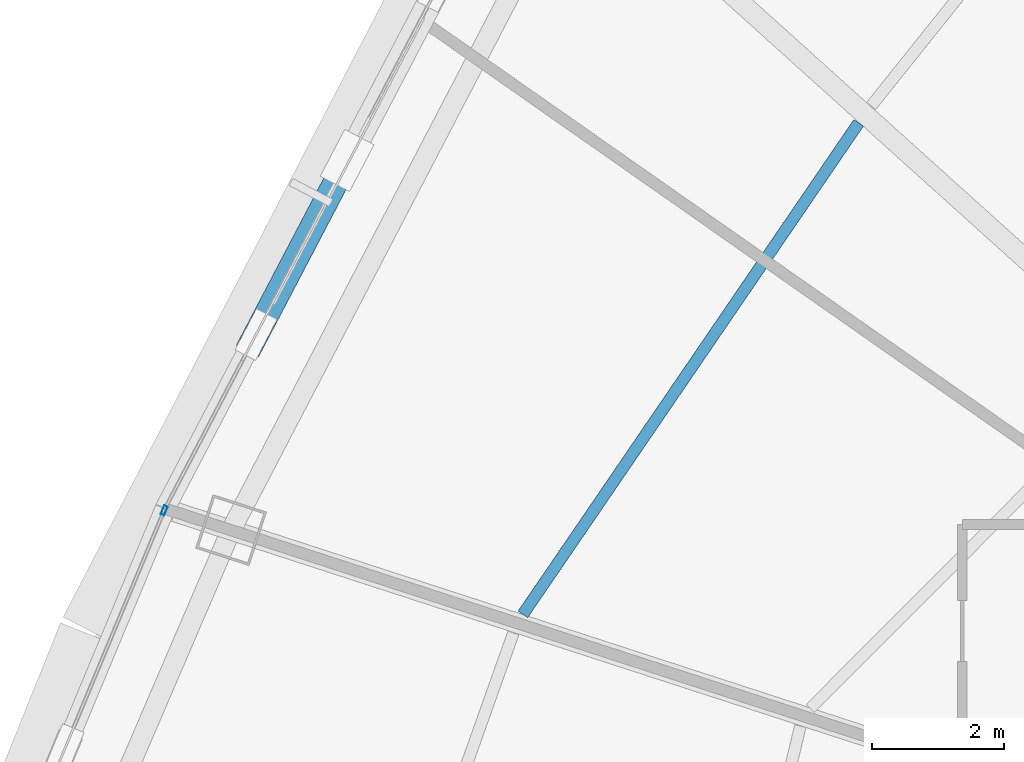
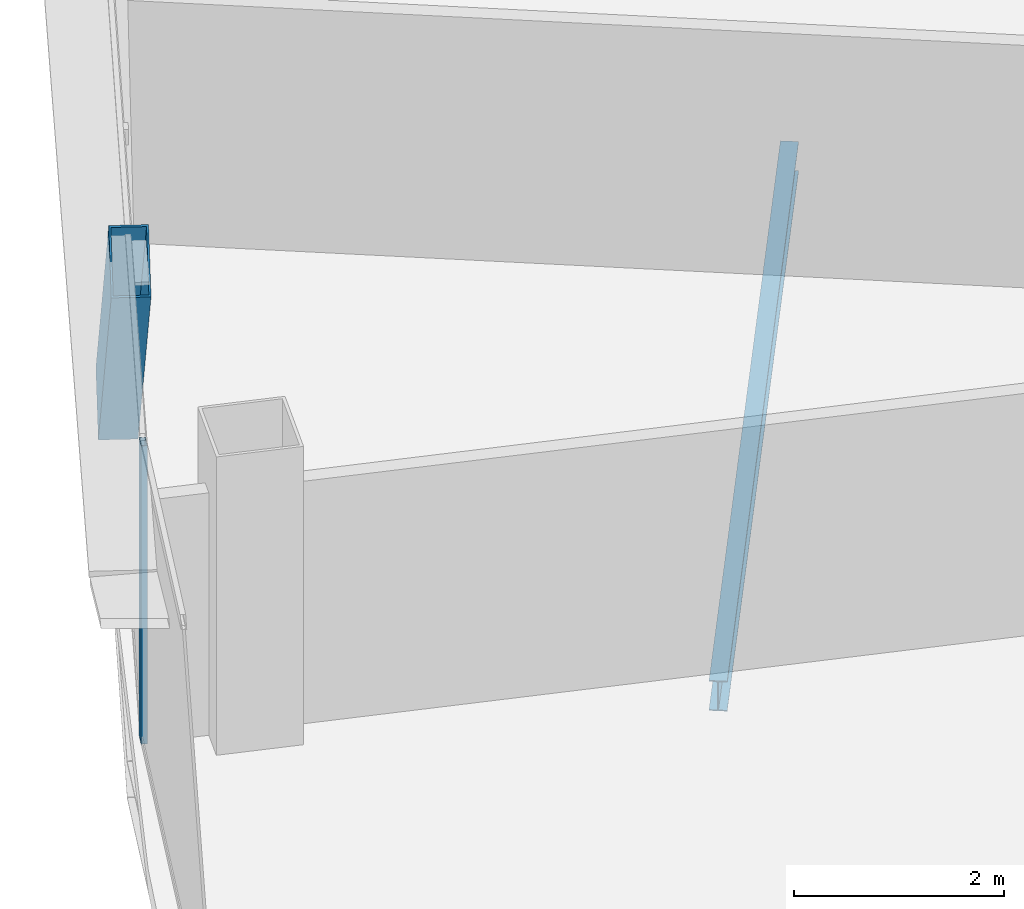
# One storey, part 8 of 36: 2 members, 1 beam, 1 element without a shape of its own.
"""IFC4 building model written with IfcOpenShell, lengths in metres."""

from ifc_helpers import new_model, si_unit, direction, frame, origin, origin_2d, place, context, subcontext, project, spatial, hollow_rectangle, i_section, extrude, source, transform, mapped, material, layer, layer_set, material_profile, profile_set, type_object, element, aggregate, save


model = new_model("IFC4")

# Units and contexts
model_context = context("Model", 3, precision=1e-05, world=origin(), true_north=direction((0.0, 1.0)))
body_context = subcontext(model_context, "Body", "Model", "MODEL_VIEW")
ifc_project = project(units=[si_unit("LENGTHUNIT", "METRE"), si_unit("AREAUNIT", "SQUARE_METRE"), si_unit("VOLUMEUNIT", "CUBIC_METRE"), si_unit("PLANEANGLEUNIT", "RADIAN"), si_unit("MASSUNIT", "GRAM", prefix="KILO"), si_unit("THERMODYNAMICTEMPERATUREUNIT", "KELVIN"), si_unit("POWERUNIT", "WATT")], contexts=[model_context])

# Site, building, storey
site_placement = place(None, origin())
site = spatial("IfcSite", under=ifc_project, at=site_placement, CompositionType="ELEMENT")
building_placement = place(site_placement, origin())
building = spatial("IfcBuilding", under=site, at=building_placement, Name="Yunzhuo Pagoda Commons", CompositionType="ELEMENT")
storey_placement = place(building_placement, frame((0.0, 0.0, 263.179931640625)))
storey = spatial("IfcBuildingStorey", under=building, at=storey_placement, Name="L66", CompositionType="ELEMENT", Elevation=263.179931640625)

# Beam
ifc_material_1 = material(Name="Structural steel Q355B", Category="steel")
ifc_material_profile_1 = material_profile(ifc_material_1, i_section(OverallWidth=0.175048828125, OverallDepth=0.35009765625, WebThickness=0.007080078125, FlangeThickness=0.010986328125, at=origin_2d()), Name="Structural steel Q355B")
ifc_profile_set_1 = profile_set([ifc_material_profile_1], Name="Structural steel Q355B")
beam_type = type_object("IfcBeamType", Name="B-JS2 Joist HN 350x175x7x11", PredefinedType="JOIST", material=ifc_profile_set_1)
shared_shape_1 = source(origin(), body_context, "Body", "SweptSolid", [
    extrude(i_section(OverallWidth=0.175048828125, OverallDepth=0.35009765625, WebThickness=0.007080078125, FlangeThickness=0.010986328125, at=origin_2d()), origin(), (0.0, 0.0, 1.0), 8.99365234375),
])
beam_placement = place(storey_placement, frame((31.583984375, 48.268798828125, -0.434814453125), z_axis=(-0.564098900337, -0.825707230584, 0.0), x_axis=(0.825707230584, -0.564098900337, 0.0)))
element("IfcBeam", 1, at=beam_placement, inside=storey, type_object=beam_type, Name="L66 composite ring joist 2.10", PredefinedType="JOIST", context=body_context, shape_type="MappedRepresentation", body=[
    mapped(shared_shape_1, transform((0.0, 0.0, 0.0), scale=1.0)),
])

# Member
ifc_material_profile_2 = material_profile(ifc_material_1, hollow_rectangle(XDim=0.3798828125, YDim=0.719970703125, WallThickness=0.02001953125, at=origin_2d()), Name="Structural steel Q355B")
ifc_profile_set_2 = profile_set([ifc_material_profile_2], Name="Structural steel Q355B")
member_type_1 = type_object("IfcMemberType", Name="M-DL3 Brace BOX 720x380x20", PredefinedType="BRACE", material=ifc_profile_set_2)
shared_shape_2 = source(origin(), body_context, "Body", "SweptSolid", [
    extrude(hollow_rectangle(XDim=0.3798828125, YDim=0.719970703125, WallThickness=0.02001953125, at=origin_2d()), origin(), (0.0, 0.0, 1.0), 4.767333984375),
])
member_1_placement = place(storey_placement, frame((23.85546875, 47.70068359375, -0.260009765625), z_axis=(-0.288727963892, -0.551799186048, 0.782402595307), x_axis=(0.886035855548, -0.46361671959, 0.0)))
element("IfcMember", 2, at=member_1_placement, inside=storey, type_object=member_type_1, Name="L66 facade diamond brace F3.2R", PredefinedType="BRACE", context=body_context, shape_type="MappedRepresentation", body=[
    mapped(shared_shape_2, transform((0.0, 0.0, 0.0), scale=1.0)),
])

# Curtain wall, member
ifc_material_2 = material(Name="Anodized aluminium 6063-T6", Category="aluminium")
ifc_layer = layer(ifc_material_2, 0.139892578125)
ifc_layer_set = layer_set([ifc_layer], Name="Anodized aluminium 6063-T6")
curtain_wall_type = type_object("IfcCurtainWallType", Name="CW-HI High-Zone Ribbon Curtain Wall", PredefinedType="NOTDEFINED", material=ifc_layer_set)
curtain_wall_placement = place(storey_placement, origin())
curtain_wall = element("IfcCurtainWall", 3, at=curtain_wall_placement, inside=storey, type_object=curtain_wall_type, Name="L66 curtain wall CW-L66-F3B4", PredefinedType="NOTDEFINED")
ifc_material_profile_3 = material_profile(ifc_material_2, hollow_rectangle(XDim=0.06005859375, YDim=0.139892578125, WallThickness=0.00341796875, at=origin_2d()), Name="Anodized aluminium 6063-T6")
ifc_profile_set_3 = profile_set([ifc_material_profile_3], Name="Anodized aluminium 6063-T6")
member_type_2 = type_object("IfcMemberType", Name="CW-HI-M Mullion RHS 140x60x3.5", PredefinedType="MULLION", material=ifc_profile_set_3)
shared_shape_3 = source(origin(), body_context, "Body", "SweptSolid", [
    extrude(hollow_rectangle(XDim=0.06005859375, YDim=0.139892578125, WallThickness=0.00341796875, at=origin_2d()), origin(), (0.0, 0.0, 1.0), 3.469970703125),
])
member_2_placement = place(storey_placement, frame((21.09130859375, 42.41162109375, 0.0), z_axis=(0.0, 0.0, 1.0), x_axis=(0.922909845486, -0.385016125772, 0.0)))
member_2 = element("IfcMember", 4, at=member_2_placement, type_object=member_type_2, Name="CW mullion 1", PredefinedType="MULLION", context=body_context, shape_type="MappedRepresentation", body=[
    mapped(shared_shape_3, transform((0.0, 0.0, 0.0), scale=1.0)),
])
aggregate(curtain_wall, [member_2])

save(model, "model.ifc")
